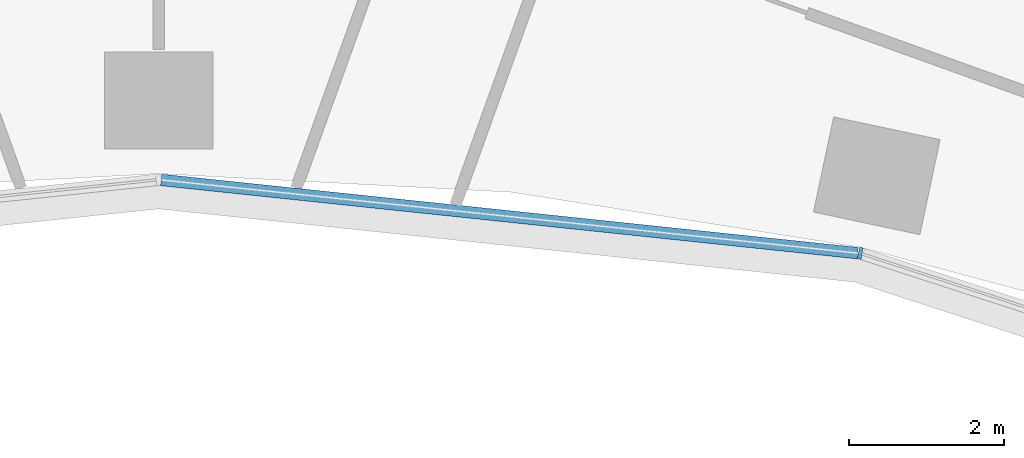
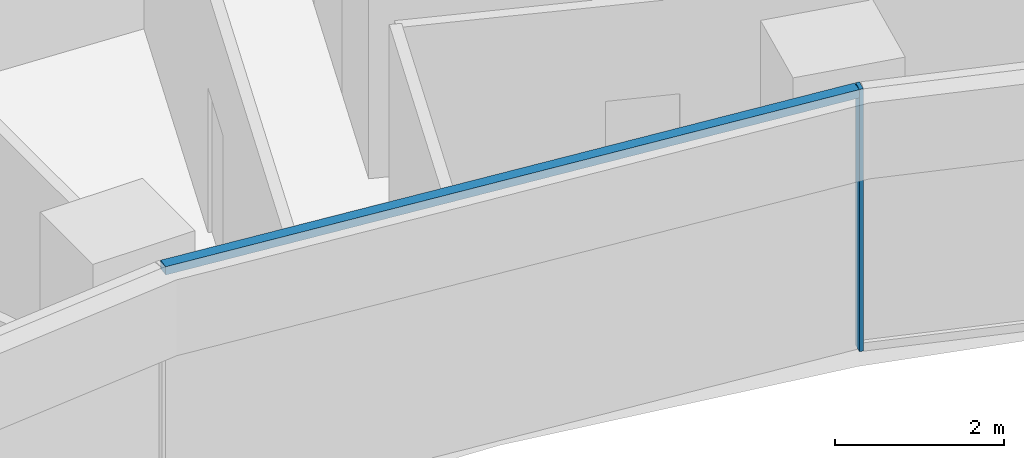
# One storey, part 6 of 24: 2 members, 1 element without a shape of its own.
"""IFC4 building model written with IfcOpenShell, lengths in metres."""

import ifcopenshell
import ifcopenshell.guid

model = None  # the IFC model being written
_history = None  # IfcOwnerHistory: only IFC2X3 demands one
_inside = {}  # id of a spatial element -> (the spatial element, [elements in it])
_under = {}  # id of a project, library or spatial element -> (it, [spatial elements below it])
_declared = {}  # id of a project -> (the project, [libraries it declares])
_typed = {}  # id of a type object -> (the type object, [elements of that type])
_made_of = {}  # id of a material, layer set ... -> (it, [elements and type objects made of it])


def new_model(schema):
    """Start an empty IFC model of exactly this schema.

    Asked for "IFC4X3", IfcOpenShell would pick the latest addendum, in which some entities
    have other attributes; the version numbers below select the first issue.
    IFC2X3 requires an IfcOwnerHistory on every rooted entity: one is made here for all.
    """
    global model, _history
    if schema == "IFC4X3":
        model = ifcopenshell.file(schema_version=(4, 3, 0, 0))
    else:
        model = ifcopenshell.file(schema=schema)
    _inside.clear()
    _under.clear()
    _declared.clear()
    _typed.clear()
    _made_of.clear()
    _history = None
    if model.schema == "IFC2X3":
        org = make("IfcOrganization", Name="unknown")
        user = make(
            "IfcPersonAndOrganization",
            ThePerson=make("IfcPerson", FamilyName="unknown"),
            TheOrganization=org,
        )
        app = make(
            "IfcApplication",
            ApplicationDeveloper=org,
            Version="unknown",
            ApplicationFullName="unknown",
            ApplicationIdentifier="unknown",
        )
        _history = make(
            "IfcOwnerHistory",
            OwningUser=user,
            OwningApplication=app,
            ChangeAction="ADDED",
            CreationDate=0,
        )
    return model


def make(cls, **values):
    """One entity of the class cls with the attributes given. An attribute that is None is left unset."""
    return model.create_entity(
        cls, **{name: value for name, value in values.items() if value is not None}
    )


def rooted(cls, **values):
    """An entity with a GlobalId (a new one), such as an element, a storey or a relation."""
    return make(cls, GlobalId=ifcopenshell.guid.new(), OwnerHistory=_history, **values)


def si_unit(unit_type, name, prefix=None):
    """IfcSIUnit, for example si_unit("LENGTHUNIT", "METRE", prefix="MILLI")."""
    return make("IfcSIUnit", UnitType=unit_type, Prefix=prefix, Name=name)


def assignment(units):
    """IfcUnitAssignment: the units of a project."""
    return None if units is None else make("IfcUnitAssignment", Units=units)


def point(xyz):
    """IfcCartesianPoint."""
    return None if xyz is None else make("IfcCartesianPoint", Coordinates=xyz)


def direction(xyz):
    """IfcDirection."""
    return None if xyz is None else make("IfcDirection", DirectionRatios=xyz)


def frame(location, z_axis=None, x_axis=None):
    """IfcAxis2Placement3D, a coordinate frame: its origin and axes. An axis left out is left unset."""
    return make(
        "IfcAxis2Placement3D",
        Location=point(location),
        Axis=direction(z_axis),
        RefDirection=direction(x_axis),
    )


def frame_2d(location, x_axis=None):
    """IfcAxis2Placement2D, a coordinate frame in the plane: its origin and x axis."""
    return make(
        "IfcAxis2Placement2D", Location=point(location), RefDirection=direction(x_axis)
    )


def origin():
    """The frame at (0, 0, 0) with its axes left unset."""
    return frame((0.0, 0.0, 0.0))


def origin_2d():
    """The frame at (0, 0) in the plane with its x axis left unset."""
    return frame_2d((0.0, 0.0))


def place(relative_to, where):
    """IfcLocalPlacement: puts the frame where relative to a parent placement (None: the world)."""
    return make(
        "IfcLocalPlacement", PlacementRelTo=relative_to, RelativePlacement=where
    )


def context(
    kind, dimensions, precision=None, world=None, true_north=None, identifier=None
):
    """IfcGeometricRepresentationContext, for example the 3D "Model" context."""
    return make(
        "IfcGeometricRepresentationContext",
        ContextIdentifier=identifier,
        ContextType=kind,
        CoordinateSpaceDimension=dimensions,
        Precision=precision,
        WorldCoordinateSystem=world,
        TrueNorth=true_north,
    )


def subcontext(parent, identifier, kind, view, scale=None):
    """IfcGeometricRepresentationSubContext, for example "Body" below "Model"."""
    return make(
        "IfcGeometricRepresentationSubContext",
        ContextIdentifier=identifier,
        ContextType=kind,
        ParentContext=parent,
        TargetScale=scale,
        TargetView=view,
    )


def project(units=None, contexts=None):
    """IfcProject with its units and contexts."""
    return rooted(
        "IfcProject",
        Name="project",
        RepresentationContexts=contexts,
        UnitsInContext=assignment(units),
    )


def spatial(cls, under=None, at=None, **own):
    """A site, building, storey or space (cls), placed at a placement, below another one or the project."""
    s = rooted(cls, ObjectPlacement=at, **own)
    if under is not None:
        _under.setdefault(under.id(), (under, []))[1].append(s)
    return s


def profile(cls, at=None, kind="AREA", **sizes):
    """A parametric profile (cls). Its sizes go by their IFC names, for example OverallWidth=200.0."""
    return make(cls, ProfileType=kind, Position=at, **sizes)


def rectangle(**sizes):
    """IfcRectangleProfileDef."""
    return profile("IfcRectangleProfileDef", **sizes)


def extrude(swept, where, along, depth):
    """IfcExtrudedAreaSolid: the profile swept, set in the frame where, extruded along a direction by depth."""
    return make(
        "IfcExtrudedAreaSolid",
        SweptArea=swept,
        Position=where,
        ExtrudedDirection=direction(along),
        Depth=depth,
    )


def shape(context_of_items, identifier, shape_type, items):
    """IfcShapeRepresentation: the items that make up one representation, for example the "Body"."""
    return make(
        "IfcShapeRepresentation",
        ContextOfItems=context_of_items,
        RepresentationIdentifier=identifier,
        RepresentationType=shape_type,
        Items=items,
    )


def material(Name=None, Category=None):
    """IfcMaterial."""
    return make("IfcMaterial", Name=Name, Category=Category)


def layer(
    of_material, thickness, ventilated=None, Name=None, Category=None, Priority=None
):
    """IfcMaterialLayer: one layer of a wall or slab, of a material (None: an air gap)."""
    return make(
        "IfcMaterialLayer",
        Material=of_material,
        LayerThickness=thickness,
        IsVentilated=ventilated,
        Name=Name,
        Category=Category,
        Priority=Priority,
    )


def layer_set(layers, Name=None):
    """IfcMaterialLayerSet."""
    return make("IfcMaterialLayerSet", MaterialLayers=layers, LayerSetName=Name)


def material_profile(
    of_material, cross_section, Name=None, Category=None, Priority=None
):
    """IfcMaterialProfile: a cross section and its material."""
    return make(
        "IfcMaterialProfile",
        Name=Name,
        Material=of_material,
        Profile=cross_section,
        Priority=Priority,
        Category=Category,
    )


def profile_set(profiles, Name=None, composite=None):
    """IfcMaterialProfileSet."""
    return make(
        "IfcMaterialProfileSet",
        Name=Name,
        MaterialProfiles=profiles,
        CompositeProfile=composite,
    )


def made_of(thing, what):
    """Note that an element or type object is made of a material, layer set ...; save() writes the relation."""
    if what is not None:
        _made_of.setdefault(what.id(), (what, []))[1].append(thing)
    return thing


def type_object(cls, material=None, **own):
    """A type object (cls), such as IfcWallType, which elements share."""
    return made_of(rooted(cls, **own), material)


def element(
    cls,
    number,
    at=None,
    inside=None,
    cuts=None,
    type_object=None,
    material=None,
    context=None,
    identifier="Body",
    shape_type=None,
    held_by="IfcProductDefinitionShape",
    body=None,
    shapes=None,
    **own,
):
    """One element of the class cls, such as IfcWall. Its Tag is "e" and its number.

    at: its placement. inside: the storey or other place that contains it. cuts: it is an
    opening in that element (IfcRelVoidsElement). A single representation is given by context,
    identifier, shape_type and body (its items); several are given by shapes. held_by: the class
    of the entity that holds the representations. save() writes the other relations.
    """
    e = rooted(cls, Tag="e%d" % number, ObjectPlacement=at, **own)
    if body is not None:
        shapes = [shape(context, identifier, shape_type, body)]
    if shapes is not None:
        e.Representation = make(held_by, Representations=shapes)
    if inside is not None:
        _inside.setdefault(inside.id(), (inside, []))[1].append(e)
    if cuts is not None:
        rooted(
            "IfcRelVoidsElement", RelatingBuildingElement=cuts, RelatedOpeningElement=e
        )
    if type_object is not None:
        _typed.setdefault(type_object.id(), (type_object, []))[1].append(e)
    return made_of(e, material)


def aggregate(whole, parts):
    """IfcRelAggregates: a whole, such as a stair, and the parts it consists of."""
    return rooted("IfcRelAggregates", RelatingObject=whole, RelatedObjects=parts)


def save(model, path):
    """Write the relations noted so far, then the file.

    IfcRelAggregates (storeys below a building ...), IfcRelContainedInSpatialStructure (elements
    in a storey), IfcRelDefinesByType, IfcRelAssociatesMaterial and IfcRelDeclares: one each for
    every whole, place, type object, material and project.
    """
    for whole, parts in _under.values():
        aggregate(whole, parts)
    for where, things in _inside.values():
        rooted(
            "IfcRelContainedInSpatialStructure",
            RelatedElements=things,
            RelatingStructure=where,
        )
    for kind, things in _typed.values():
        rooted("IfcRelDefinesByType", RelatedObjects=things, RelatingType=kind)
    for what, things in _made_of.values():
        rooted("IfcRelAssociatesMaterial", RelatedObjects=things, RelatingMaterial=what)
    for by, libraries in _declared.values():
        rooted("IfcRelDeclares", RelatingContext=by, RelatedDefinitions=libraries)
    model.write(path)


model = new_model("IFC4")

# Units and contexts
model_context = context("Model", 3, precision=1e-05, world=origin(), true_north=direction((0.0, 1.0)))
body_context = subcontext(model_context, "Body", "Model", "MODEL_VIEW")
ifc_project = project(units=[si_unit("LENGTHUNIT", "METRE"), si_unit("AREAUNIT", "SQUARE_METRE"), si_unit("VOLUMEUNIT", "CUBIC_METRE"), si_unit("PLANEANGLEUNIT", "RADIAN"), si_unit("MASSUNIT", "GRAM", prefix="KILO")], contexts=[model_context])

# Site, building, storey
site_placement = place(None, origin())
site = spatial("IfcSite", under=ifc_project, at=site_placement, CompositionType="ELEMENT")
building_placement = place(site_placement, origin())
building = spatial("IfcBuilding", under=site, at=building_placement, Name="Stone Belt Terrace Tower", CompositionType="ELEMENT")
storey_placement = place(building_placement, frame((0.0, 0.0, 41.39990234375)))
storey = spatial("IfcBuildingStorey", under=building, at=storey_placement, Name="L09", CompositionType="ELEMENT", Elevation=41.39990234375)

# Curtain wall, members
ifc_material = material(Name="Aluminium 6063-T6 anodised frame", Category="aluminium")
ifc_layer = layer(ifc_material, 0.14990234375)
ifc_layer_set = layer_set([ifc_layer], Name="CW-B unitised concave-face curtain wall")
curtain_wall_type = type_object("IfcCurtainWallType", Name="CW-B unitised concave-face curtain wall", PredefinedType="NOTDEFINED", material=ifc_layer_set)
curtain_wall_placement = place(storey_placement, origin())
curtain_wall = element("IfcCurtainWall", 1, at=curtain_wall_placement, inside=storey, type_object=curtain_wall_type, Name="CW-B concave face L09", PredefinedType="NOTDEFINED")
ifc_material_profile_1 = material_profile(ifc_material, rectangle(XDim=0.14990234375, YDim=0.050048828125, at=origin_2d()), Name="Aluminium 6063-T6 50x150")
ifc_profile_set_1 = profile_set([ifc_material_profile_1], Name="Aluminium 6063-T6 anodised frame")
member_type_1 = type_object("IfcMemberType", Name="CW-B mullion 50 x 150", PredefinedType="MULLION", material=ifc_profile_set_1)
member_1_placement = place(storey_placement, frame((9.028564453125, 42.4755859375, 0.0), z_axis=(0.0, 0.0, 1.0), x_axis=(0.207911690818, 0.978147600734, 0.0)))
member_1 = element("IfcMember", 2, at=member_1_placement, type_object=member_type_1, Name="CW-B mullion 7", PredefinedType="MULLION", context=body_context, shape_type="SweptSolid", body=[
    extrude(rectangle(XDim=0.14990234375, YDim=0.050048828125, at=origin_2d()), origin(), (0.0, 0.0, 1.0), 3.800048828125),
])
ifc_material_profile_2 = material_profile(ifc_material, rectangle(XDim=0.14990234375, YDim=0.1201171875, at=origin_2d()), Name="Aluminium 6063-T6 150x120")
ifc_profile_set_2 = profile_set([ifc_material_profile_2], Name="Aluminium 6063-T6 anodised frame")
member_type_2 = type_object("IfcMemberType", Name="CW-B transom 120 x 150", PredefinedType="USERDEFINED", material=ifc_profile_set_2)
member_2_placement = place(storey_placement, frame((0.032470703125, 43.421142578125, 3.739990234375), z_axis=(0.994521323407, -0.104533904969, 0.0), x_axis=(0.104533904969, 0.994521323407, 0.0)))
member_2 = element("IfcMember", 3, at=member_2_placement, type_object=member_type_2, Name="CW-B transom 6.1", ObjectType="TRANSOM", PredefinedType="USERDEFINED", context=body_context, shape_type="SweptSolid", body=[
    extrude(rectangle(XDim=0.14990234375, YDim=0.1201171875, at=origin_2d()), origin(), (0.0, 0.0, 1.0), 9.0126953125),
])
aggregate(curtain_wall, [member_1, member_2])

save(model, "model.ifc")
